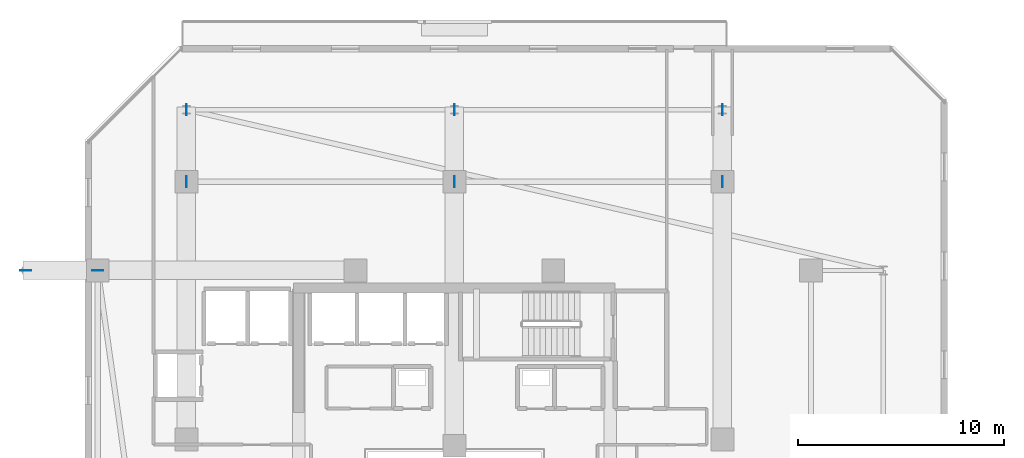
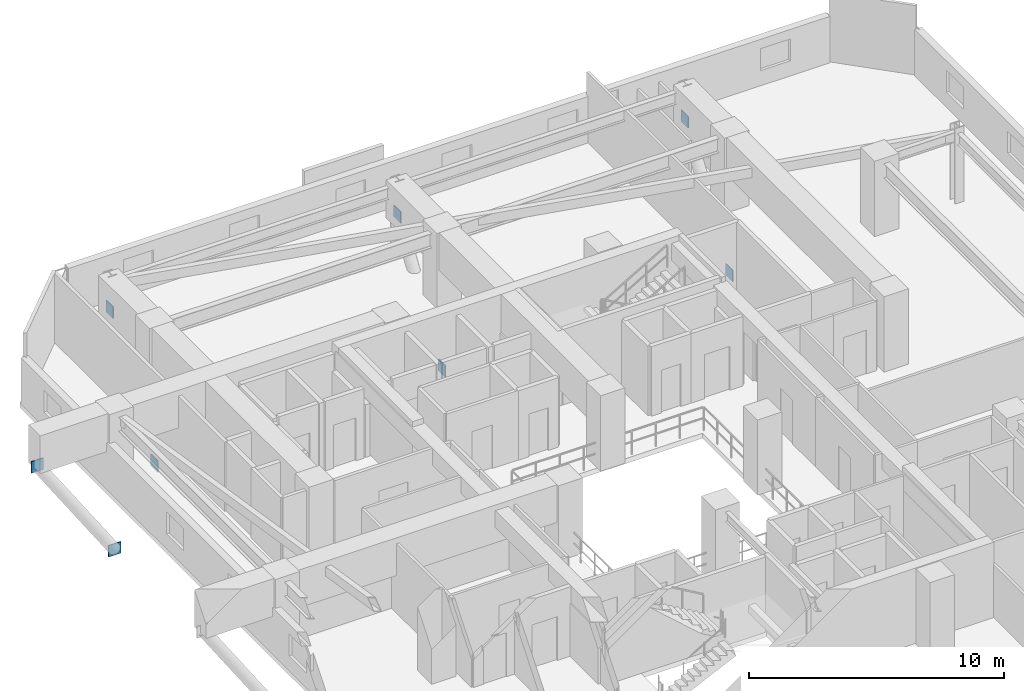
# One storey, part 20 of 36: 8 plates.
"""IFC4 building model written with IfcOpenShell, lengths in metres."""

from ifc_helpers import new_model, si_unit, direction, frame, origin, origin_2d, place, context, subcontext, project, spatial, rectangle, extrude, material, layer, layer_set, type_object, element, save


model = new_model("IFC4")

# Units and contexts
model_context = context("Model", 3, precision=1e-05, world=origin(), true_north=direction((0.0, 1.0)))
body_context = subcontext(model_context, "Body", "Model", "MODEL_VIEW")
ifc_project = project(units=[si_unit("LENGTHUNIT", "METRE"), si_unit("AREAUNIT", "SQUARE_METRE"), si_unit("VOLUMEUNIT", "CUBIC_METRE"), si_unit("PLANEANGLEUNIT", "RADIAN"), si_unit("MASSUNIT", "GRAM", prefix="KILO")], contexts=[model_context])

# Site, building, storey
site_placement = place(None, origin())
site = spatial("IfcSite", under=ifc_project, at=site_placement, CompositionType="ELEMENT")
building_placement = place(site_placement, origin())
building = spatial("IfcBuilding", under=site, at=building_placement, Name="Thornwick Lancets Civic Towers", CompositionType="ELEMENT")
storey_placement = place(building_placement, frame((0.0, 0.0, 196.5)))
storey = spatial("IfcBuildingStorey", under=building, at=storey_placement, Name="L52", CompositionType="ELEMENT", Elevation=196.5)

# Plates
ifc_material = material(Name="Steel S460M", Category="steel")
ifc_layer = layer(ifc_material, 0.0400390625, Name="Steel S460M")
ifc_layer_set = layer_set([ifc_layer], Name="Steel S460M")
plate_type = type_object("IfcPlateType", Name="PLT_GUSSET_40", PredefinedType="USERDEFINED", material=ifc_layer_set)
for number, where, z_axis, x_axis, name in (
    (1, (12.5, 44.300048828125, -3.625), (0.0, 0.0, 1.0), (0.0, 1.0, 0.0), "L52 Brace Connection Gusset Plate 0287"),
    (2, (12.5, 47.800048828125, 1.60498046875), (0.0, 0.0, 1.0), (0.0, 1.0, 0.0), "L52 Brace Connection Gusset Plate 0288"),
    (3, (25.5, 44.300048828125, -3.625), (0.0, 0.0, 1.0), (0.0, 1.0, 0.0), "L52 Brace Connection Gusset Plate 0289"),
    (4, (25.5, 47.800048828125, 1.60498046875), (0.0, 0.0, 1.0), (0.0, 1.0, 0.0), "L52 Brace Connection Gusset Plate 0290"),
    (5, (38.5, 44.300048828125, -3.625), (0.0, 0.0, 1.0), (0.0, 1.0, 0.0), "L52 Brace Connection Gusset Plate 0291"),
    (6, (38.5, 47.800048828125, 1.60498046875), (0.0, 0.0, 1.0), (0.0, 1.0, 0.0), "L52 Brace Connection Gusset Plate 0292"),
    (7, (8.199951171875, 40.0, -3.625), (0.0, 0.0, 1.0), (-1.0, 0.0, 0.0), "L52 Brace Connection Gusset Plate 0297"),
    (8, (4.699951171875, 40.0, 1.60498046875), (0.0, 0.0, 1.0), (-1.0, 0.0, 0.0), "L52 Brace Connection Gusset Plate 0298"),
):
    element("IfcPlate", number, at=place(storey_placement, frame(where, z_axis=z_axis, x_axis=x_axis)), inside=storey, type_object=plate_type, Name=name, ObjectType="GUSSET_PLATE", PredefinedType="USERDEFINED", context=body_context, shape_type="SweptSolid", body=[
        extrude(rectangle(XDim=0.550048828125, YDim=0.0400390625, at=origin_2d()), origin(), (0.0, 0.0, 1.0), 0.550048828125),
    ])

save(model, "model.ifc")
